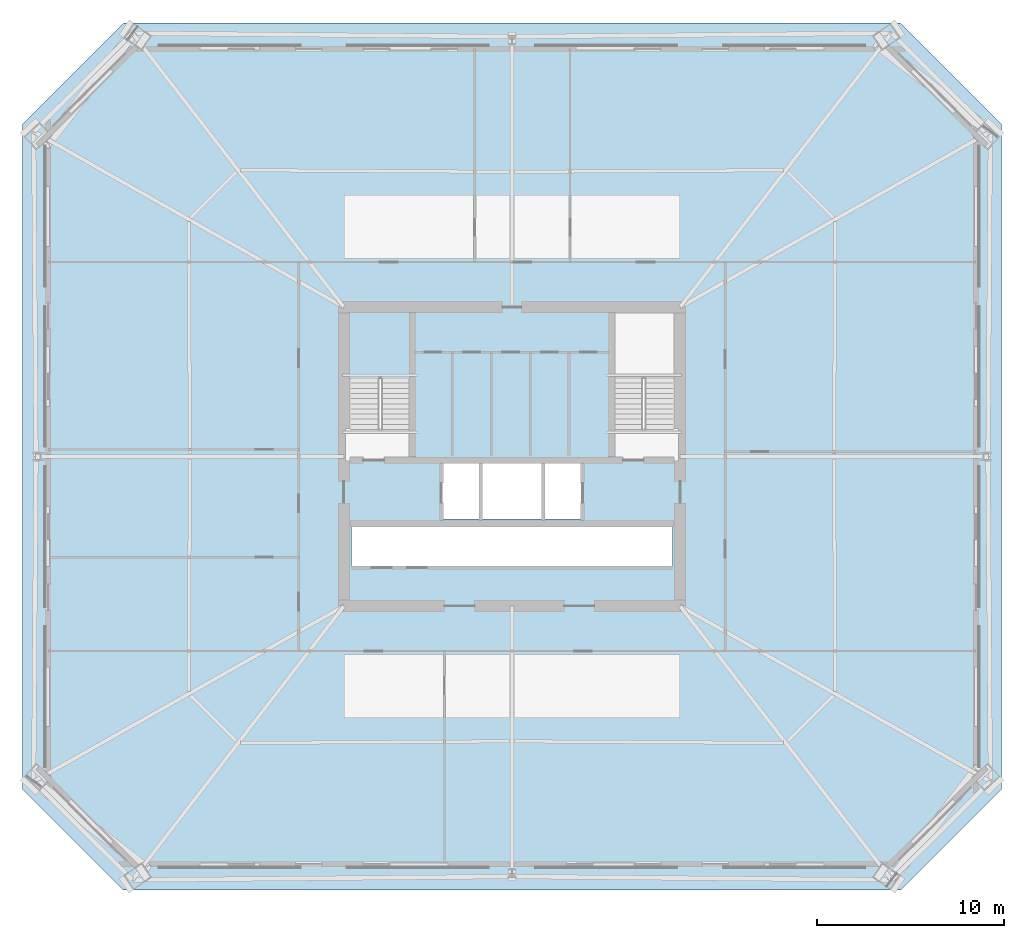
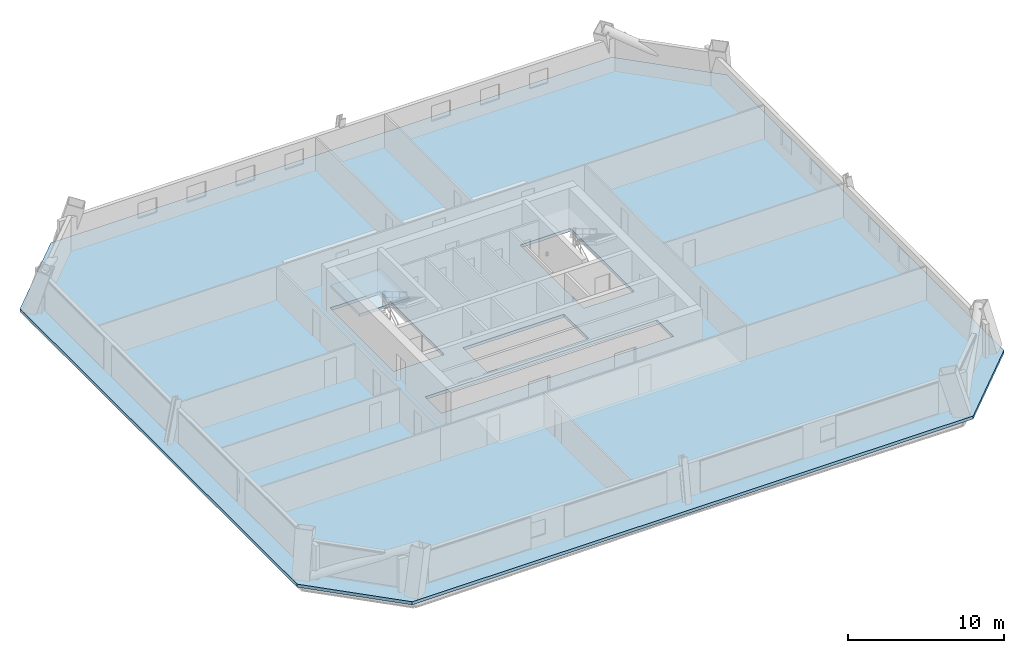
# One storey, part 3 of 10: 2 slabs, 1 element without a shape of its own.
"""IFC4 building model written with IfcOpenShell, lengths in metres."""

import ifcopenshell
import ifcopenshell.guid

model = None  # the IFC model being written
_history = None  # IfcOwnerHistory: only IFC2X3 demands one
_inside = {}  # id of a spatial element -> (the spatial element, [elements in it])
_under = {}  # id of a project, library or spatial element -> (it, [spatial elements below it])
_declared = {}  # id of a project -> (the project, [libraries it declares])
_typed = {}  # id of a type object -> (the type object, [elements of that type])
_made_of = {}  # id of a material, layer set ... -> (it, [elements and type objects made of it])


def new_model(schema):
    """Start an empty IFC model of exactly this schema.

    Asked for "IFC4X3", IfcOpenShell would pick the latest addendum, in which some entities
    have other attributes; the version numbers below select the first issue.
    IFC2X3 requires an IfcOwnerHistory on every rooted entity: one is made here for all.
    """
    global model, _history
    if schema == "IFC4X3":
        model = ifcopenshell.file(schema_version=(4, 3, 0, 0))
    else:
        model = ifcopenshell.file(schema=schema)
    _inside.clear()
    _under.clear()
    _declared.clear()
    _typed.clear()
    _made_of.clear()
    _history = None
    if model.schema == "IFC2X3":
        org = make("IfcOrganization", Name="unknown")
        user = make(
            "IfcPersonAndOrganization",
            ThePerson=make("IfcPerson", FamilyName="unknown"),
            TheOrganization=org,
        )
        app = make(
            "IfcApplication",
            ApplicationDeveloper=org,
            Version="unknown",
            ApplicationFullName="unknown",
            ApplicationIdentifier="unknown",
        )
        _history = make(
            "IfcOwnerHistory",
            OwningUser=user,
            OwningApplication=app,
            ChangeAction="ADDED",
            CreationDate=0,
        )
    return model


def make(cls, **values):
    """One entity of the class cls with the attributes given. An attribute that is None is left unset."""
    return model.create_entity(
        cls, **{name: value for name, value in values.items() if value is not None}
    )


def rooted(cls, **values):
    """An entity with a GlobalId (a new one), such as an element, a storey or a relation."""
    return make(cls, GlobalId=ifcopenshell.guid.new(), OwnerHistory=_history, **values)


def si_unit(unit_type, name, prefix=None):
    """IfcSIUnit, for example si_unit("LENGTHUNIT", "METRE", prefix="MILLI")."""
    return make("IfcSIUnit", UnitType=unit_type, Prefix=prefix, Name=name)


def assignment(units):
    """IfcUnitAssignment: the units of a project."""
    return None if units is None else make("IfcUnitAssignment", Units=units)


def point(xyz):
    """IfcCartesianPoint."""
    return None if xyz is None else make("IfcCartesianPoint", Coordinates=xyz)


def direction(xyz):
    """IfcDirection."""
    return None if xyz is None else make("IfcDirection", DirectionRatios=xyz)


def frame(location, z_axis=None, x_axis=None):
    """IfcAxis2Placement3D, a coordinate frame: its origin and axes. An axis left out is left unset."""
    return make(
        "IfcAxis2Placement3D",
        Location=point(location),
        Axis=direction(z_axis),
        RefDirection=direction(x_axis),
    )


def origin():
    """The frame at (0, 0, 0) with its axes left unset."""
    return frame((0.0, 0.0, 0.0))


def place(relative_to, where):
    """IfcLocalPlacement: puts the frame where relative to a parent placement (None: the world)."""
    return make(
        "IfcLocalPlacement", PlacementRelTo=relative_to, RelativePlacement=where
    )


def context(
    kind, dimensions, precision=None, world=None, true_north=None, identifier=None
):
    """IfcGeometricRepresentationContext, for example the 3D "Model" context."""
    return make(
        "IfcGeometricRepresentationContext",
        ContextIdentifier=identifier,
        ContextType=kind,
        CoordinateSpaceDimension=dimensions,
        Precision=precision,
        WorldCoordinateSystem=world,
        TrueNorth=true_north,
    )


def subcontext(parent, identifier, kind, view, scale=None):
    """IfcGeometricRepresentationSubContext, for example "Body" below "Model"."""
    return make(
        "IfcGeometricRepresentationSubContext",
        ContextIdentifier=identifier,
        ContextType=kind,
        ParentContext=parent,
        TargetScale=scale,
        TargetView=view,
    )


def project(units=None, contexts=None):
    """IfcProject with its units and contexts."""
    return rooted(
        "IfcProject",
        Name="project",
        RepresentationContexts=contexts,
        UnitsInContext=assignment(units),
    )


def spatial(cls, under=None, at=None, **own):
    """A site, building, storey or space (cls), placed at a placement, below another one or the project."""
    s = rooted(cls, ObjectPlacement=at, **own)
    if under is not None:
        _under.setdefault(under.id(), (under, []))[1].append(s)
    return s


def polyline(points):
    """IfcPolyline through the points."""
    return make("IfcPolyline", Points=[point(p) for p in points])


def outline(outer, holes=None, kind="AREA"):
    """IfcArbitraryClosedProfileDef: a profile drawn as a closed curve; with holes, ...WithVoids."""
    if holes is None:
        return make("IfcArbitraryClosedProfileDef", ProfileType=kind, OuterCurve=outer)
    return make(
        "IfcArbitraryProfileDefWithVoids",
        ProfileType=kind,
        OuterCurve=outer,
        InnerCurves=holes,
    )


def extrude(swept, where, along, depth):
    """IfcExtrudedAreaSolid: the profile swept, set in the frame where, extruded along a direction by depth."""
    return make(
        "IfcExtrudedAreaSolid",
        SweptArea=swept,
        Position=where,
        ExtrudedDirection=direction(along),
        Depth=depth,
    )


def shape(context_of_items, identifier, shape_type, items):
    """IfcShapeRepresentation: the items that make up one representation, for example the "Body"."""
    return make(
        "IfcShapeRepresentation",
        ContextOfItems=context_of_items,
        RepresentationIdentifier=identifier,
        RepresentationType=shape_type,
        Items=items,
    )


def material(Name=None, Category=None):
    """IfcMaterial."""
    return make("IfcMaterial", Name=Name, Category=Category)


def layer(
    of_material, thickness, ventilated=None, Name=None, Category=None, Priority=None
):
    """IfcMaterialLayer: one layer of a wall or slab, of a material (None: an air gap)."""
    return make(
        "IfcMaterialLayer",
        Material=of_material,
        LayerThickness=thickness,
        IsVentilated=ventilated,
        Name=Name,
        Category=Category,
        Priority=Priority,
    )


def layer_set(layers, Name=None):
    """IfcMaterialLayerSet."""
    return make("IfcMaterialLayerSet", MaterialLayers=layers, LayerSetName=Name)


def made_of(thing, what):
    """Note that an element or type object is made of a material, layer set ...; save() writes the relation."""
    if what is not None:
        _made_of.setdefault(what.id(), (what, []))[1].append(thing)
    return thing


def type_object(cls, material=None, **own):
    """A type object (cls), such as IfcWallType, which elements share."""
    return made_of(rooted(cls, **own), material)


def element(
    cls,
    number,
    at=None,
    inside=None,
    cuts=None,
    type_object=None,
    material=None,
    context=None,
    identifier="Body",
    shape_type=None,
    held_by="IfcProductDefinitionShape",
    body=None,
    shapes=None,
    **own,
):
    """One element of the class cls, such as IfcWall. Its Tag is "e" and its number.

    at: its placement. inside: the storey or other place that contains it. cuts: it is an
    opening in that element (IfcRelVoidsElement). A single representation is given by context,
    identifier, shape_type and body (its items); several are given by shapes. held_by: the class
    of the entity that holds the representations. save() writes the other relations.
    """
    e = rooted(cls, Tag="e%d" % number, ObjectPlacement=at, **own)
    if body is not None:
        shapes = [shape(context, identifier, shape_type, body)]
    if shapes is not None:
        e.Representation = make(held_by, Representations=shapes)
    if inside is not None:
        _inside.setdefault(inside.id(), (inside, []))[1].append(e)
    if cuts is not None:
        rooted(
            "IfcRelVoidsElement", RelatingBuildingElement=cuts, RelatedOpeningElement=e
        )
    if type_object is not None:
        _typed.setdefault(type_object.id(), (type_object, []))[1].append(e)
    return made_of(e, material)


def aggregate(whole, parts):
    """IfcRelAggregates: a whole, such as a stair, and the parts it consists of."""
    return rooted("IfcRelAggregates", RelatingObject=whole, RelatedObjects=parts)


def save(model, path):
    """Write the relations noted so far, then the file.

    IfcRelAggregates (storeys below a building ...), IfcRelContainedInSpatialStructure (elements
    in a storey), IfcRelDefinesByType, IfcRelAssociatesMaterial and IfcRelDeclares: one each for
    every whole, place, type object, material and project.
    """
    for whole, parts in _under.values():
        aggregate(whole, parts)
    for where, things in _inside.values():
        rooted(
            "IfcRelContainedInSpatialStructure",
            RelatedElements=things,
            RelatingStructure=where,
        )
    for kind, things in _typed.values():
        rooted("IfcRelDefinesByType", RelatedObjects=things, RelatingType=kind)
    for what, things in _made_of.values():
        rooted("IfcRelAssociatesMaterial", RelatedObjects=things, RelatingMaterial=what)
    for by, libraries in _declared.values():
        rooted("IfcRelDeclares", RelatingContext=by, RelatedDefinitions=libraries)
    model.write(path)


model = new_model("IFC4")

# Units and contexts
model_context = context("Model", 3, precision=1e-05, world=origin(), true_north=direction((0.0, 1.0)))
body_context = subcontext(model_context, "Body", "Model", "MODEL_VIEW")
ifc_project = project(units=[si_unit("LENGTHUNIT", "METRE"), si_unit("AREAUNIT", "SQUARE_METRE"), si_unit("VOLUMEUNIT", "CUBIC_METRE"), si_unit("PLANEANGLEUNIT", "RADIAN"), si_unit("MASSUNIT", "GRAM", prefix="KILO")], contexts=[model_context])

# Site, building, storey
site_placement = place(None, origin())
site = spatial("IfcSite", under=ifc_project, at=site_placement, CompositionType="ELEMENT")
building_placement = place(site_placement, origin())
building = spatial("IfcBuilding", under=site, at=building_placement, Name="Caelvoria Tower", CompositionType="ELEMENT")
storey_placement = place(building_placement, frame((0.0, 0.0, 78.39990234375)))
storey = spatial("IfcBuildingStorey", under=building, at=storey_placement, Name="L20", CompositionType="ELEMENT", Elevation=78.39990234375)

# Stair, slab
ifc_material = material(Name="Concrete C40/50", Category="concrete")
stair_type = type_object("IfcStairType", Name="Core Smokeproof Dogleg Stair Concrete C40/50", PredefinedType="HALF_TURN_STAIR", material=ifc_material)
stair_placement = place(storey_placement, origin())
stair = element("IfcStair", 1, at=stair_placement, inside=storey, type_object=stair_type, Name="ST-01 Smokeproof Exit Stair L20", PredefinedType="HALF_TURN_STAIR")
ifc_layer_1 = layer(ifc_material, 0.199951171875, Name="Concrete C40/50")
ifc_layer_set_1 = layer_set([ifc_layer_1], Name="Stair Half and Floor Landing Slab 200 Concrete C40/50 - Concrete C40/50")
slab_type_1 = type_object("IfcSlabType", Name="Stair Half and Floor Landing Slab 200 Concrete C40/50", PredefinedType="LANDING", material=ifc_layer_set_1)
slab_1_placement = place(storey_placement, frame((0.0, 0.0, 1.60009765625)))
slab_1 = element("IfcSlab", 2, at=slab_1_placement, type_object=slab_type_1, Name="ST-01 landing 2", PredefinedType="LANDING", context=body_context, shape_type="SweptSolid", body=[
    extrude(outline(polyline([(37.10009765625, 36.14990234375), (40.800048828125, 36.14990234375), (40.800048828125, 39.89990234375), (37.10009765625, 39.89990234375), (37.10009765625, 36.14990234375)])), origin(), (0.0, 0.0, 1.0), 0.199951171875),
])
aggregate(stair, [slab_1])

# Slab
ifc_layer_2 = layer(ifc_material, 0.239990234375, Name="Concrete C40/50")
ifc_layer_set_2 = layer_set([ifc_layer_2], Name="Tower Composite Office Slab 240 - Concrete C40/50")
slab_type_2 = type_object("IfcSlabType", Name="Tower Composite Office Slab 240", PredefinedType="FLOOR", material=ifc_layer_set_2)
slab_2_placement = place(storey_placement, frame((0.0, 0.0, -0.239990234375)))
element("IfcSlab", 3, at=slab_2_placement, inside=storey, type_object=slab_type_2, Name="Level L20 Structural Floor Slab", PredefinedType="FLOOR", context=body_context, shape_type="SweptSolid", body=[
    extrude(outline(polyline([(25.199951171875, 8.800048828125), (66.800048828125, 8.800048828125), (72.199951171875, 14.199951171875), (72.199951171875, 49.800048828125), (66.800048828125, 55.199951171875), (25.199951171875, 55.199951171875), (19.800048828125, 49.800048828125), (19.800048828125, 14.199951171875), (25.199951171875, 8.800048828125)]), holes=[polyline([(37.080078125, 31.75), (40.820068359375, 31.75), (40.820068359375, 39.919921875), (37.080078125, 39.919921875), (37.080078125, 31.75)]), polyline([(51.179931640625, 31.75), (54.919921875, 31.75), (54.919921875, 39.919921875), (51.179931640625, 39.919921875), (51.179931640625, 31.75)]), polyline([(42.25, 28.64990234375), (49.75, 28.64990234375), (49.75, 31.800048828125), (42.25, 31.800048828125), (42.25, 28.64990234375)]), polyline([(37.39990234375, 26.14990234375), (54.60009765625, 26.14990234375), (54.60009765625, 28.25), (37.39990234375, 28.25), (37.39990234375, 26.14990234375)])]), origin(), (0.0, 0.0, 1.0), 0.239990234375),
])

save(model, "model.ifc")
